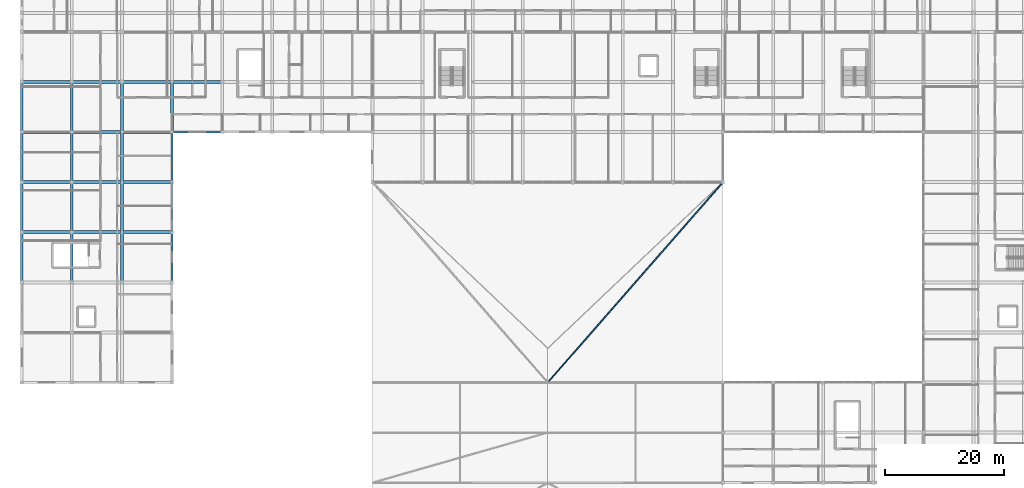
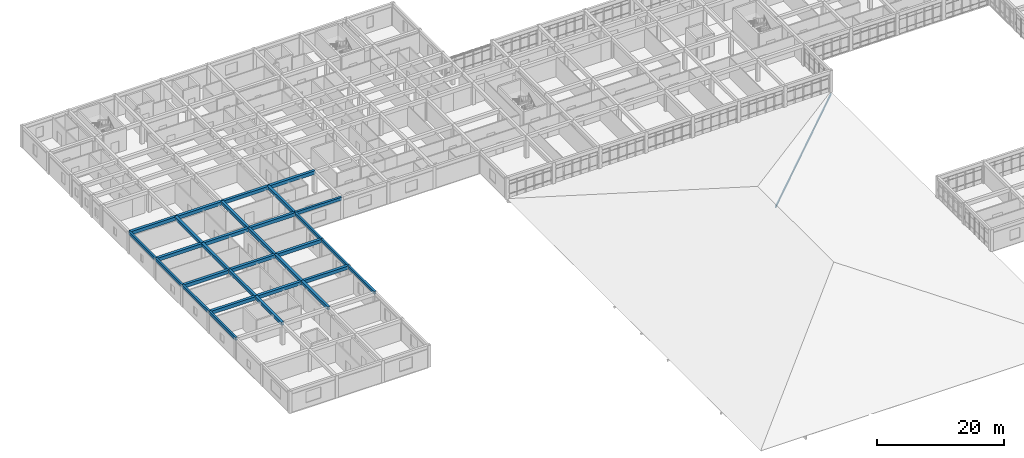
# One storey, part 12 of 77: 30 beams, 1 member.
"""IFC4 building model written with IfcOpenShell, lengths in metres."""

from ifc_helpers import new_model, si_unit, direction, frame, origin, origin_2d, place, context, subcontext, project, spatial, rectangle, extrude, material, material_profile, profile_set, type_object, element, save


model = new_model("IFC4")

# Units and contexts
model_context = context("Model", 3, precision=1e-05, world=origin(), true_north=direction((0.0, 1.0)))
body_context = subcontext(model_context, "Body", "Model", "MODEL_VIEW")
ifc_project = project(units=[si_unit("LENGTHUNIT", "METRE"), si_unit("AREAUNIT", "SQUARE_METRE"), si_unit("VOLUMEUNIT", "CUBIC_METRE"), si_unit("PLANEANGLEUNIT", "RADIAN"), si_unit("MASSUNIT", "GRAM", prefix="KILO")], contexts=[model_context])

# Site, building, storey
site_placement = place(None, origin())
site = spatial("IfcSite", under=ifc_project, at=site_placement, CompositionType="ELEMENT")
building_placement = place(site_placement, origin())
building = spatial("IfcBuilding", under=site, at=building_placement, Name="Varncliffe General Hospital", CompositionType="ELEMENT")
storey_placement = place(building_placement, frame((0.0, 0.0, 16.199951171875)))
storey = spatial("IfcBuildingStorey", under=building, at=storey_placement, Name="L03", CompositionType="ELEMENT", Elevation=16.199951171875)

# Beams
ifc_material_1 = material(Name="Concrete C35/45 (CSA A23.1 35 MPa)", Category="concrete")
ifc_material_profile_1 = material_profile(ifc_material_1, rectangle(XDim=0.5, YDim=0.64990234375, at=origin_2d()), Name="RC 500x650")
ifc_profile_set_1 = profile_set([ifc_material_profile_1], Name="Concrete C35/45 (CSA A23.1 35 MPa)")
beam_type_1 = type_object("IfcBeamType", Name="Beam B29 (Int RC 500x650)", PredefinedType="BEAM", material=ifc_profile_set_1)
beam_1_placement = place(storey_placement, frame((0.0, 66.0, 3.875), z_axis=(1.0, 0.0, 0.0), x_axis=(0.0, 1.0, 0.0)))
element("IfcBeam", 1, at=beam_1_placement, inside=storey, type_object=beam_type_1, Name="L03 Primary Beam B29-46", PredefinedType="BEAM", context=body_context, shape_type="SweptSolid", body=[
    extrude(rectangle(XDim=0.5, YDim=0.64990234375, at=origin_2d()), origin(), (0.0, 0.0, 1.0), 8.39990234375),
])
beam_2_placement = place(storey_placement, frame((8.39990234375, 66.0, 3.875), z_axis=(1.0, 0.0, 0.0), x_axis=(0.0, 1.0, 0.0)))
element("IfcBeam", 2, at=beam_2_placement, inside=storey, type_object=beam_type_1, Name="L03 Primary Beam B29-47", PredefinedType="BEAM", context=body_context, shape_type="SweptSolid", body=[
    extrude(rectangle(XDim=0.5, YDim=0.64990234375, at=origin_2d()), origin(), (0.0, 0.0, 1.0), 8.400146484375),
])
for number, where, z_axis, x_axis, name in (
    (3, (16.800048828125, 66.0, 3.875), (1.0, 0.0, 0.0), (0.0, 1.0, 0.0), "L03 Primary Beam B29-48"),
    (4, (0.0, 74.39990234375, 3.875), (1.0, 0.0, 0.0), (0.0, 1.0, 0.0), "L03 Primary Beam B29-52"),
):
    element("IfcBeam", number, at=place(storey_placement, frame(where, z_axis=z_axis, x_axis=x_axis)), inside=storey, type_object=beam_type_1, Name=name, PredefinedType="BEAM", context=body_context, shape_type="SweptSolid", body=[
        extrude(rectangle(XDim=0.5, YDim=0.64990234375, at=origin_2d()), origin(), (0.0, 0.0, 1.0), 8.39990234375),
    ])
beam_3_placement = place(storey_placement, frame((8.39990234375, 74.39990234375, 3.875), z_axis=(1.0, 0.0, 0.0), x_axis=(0.0, 1.0, 0.0)))
element("IfcBeam", 5, at=beam_3_placement, inside=storey, type_object=beam_type_1, Name="L03 Primary Beam B29-53", PredefinedType="BEAM", context=body_context, shape_type="SweptSolid", body=[
    extrude(rectangle(XDim=0.5, YDim=0.64990234375, at=origin_2d()), origin(), (0.0, 0.0, 1.0), 8.400146484375),
])
for number, where, z_axis, x_axis, name in (
    (6, (16.800048828125, 74.39990234375, 3.875), (1.0, 0.0, 0.0), (0.0, 1.0, 0.0), "L03 Primary Beam B29-54"),
    (7, (0.0, 82.800048828125, 3.875), (1.0, 0.0, 0.0), (0.0, 1.0, 0.0), "L03 Primary Beam B29-65"),
):
    element("IfcBeam", number, at=place(storey_placement, frame(where, z_axis=z_axis, x_axis=x_axis)), inside=storey, type_object=beam_type_1, Name=name, PredefinedType="BEAM", context=body_context, shape_type="SweptSolid", body=[
        extrude(rectangle(XDim=0.5, YDim=0.64990234375, at=origin_2d()), origin(), (0.0, 0.0, 1.0), 8.39990234375),
    ])
beam_4_placement = place(storey_placement, frame((8.39990234375, 82.800048828125, 3.875), z_axis=(1.0, 0.0, 0.0), x_axis=(0.0, 1.0, 0.0)))
element("IfcBeam", 8, at=beam_4_placement, inside=storey, type_object=beam_type_1, Name="L03 Primary Beam B29-66", PredefinedType="BEAM", context=body_context, shape_type="SweptSolid", body=[
    extrude(rectangle(XDim=0.5, YDim=0.64990234375, at=origin_2d()), origin(), (0.0, 0.0, 1.0), 8.400146484375),
])
for number, where, z_axis, x_axis, name in (
    (9, (16.800048828125, 82.800048828125, 3.875), (1.0, 0.0, 0.0), (0.0, 1.0, 0.0), "L03 Primary Beam B29-67"),
    (10, (0.0, 91.199951171875, 3.875), (1.0, 0.0, 0.0), (0.0, 1.0, 0.0), "L03 Primary Beam B29-86"),
):
    element("IfcBeam", number, at=place(storey_placement, frame(where, z_axis=z_axis, x_axis=x_axis)), inside=storey, type_object=beam_type_1, Name=name, PredefinedType="BEAM", context=body_context, shape_type="SweptSolid", body=[
        extrude(rectangle(XDim=0.5, YDim=0.64990234375, at=origin_2d()), origin(), (0.0, 0.0, 1.0), 8.39990234375),
    ])
beam_5_placement = place(storey_placement, frame((8.39990234375, 91.199951171875, 3.875), z_axis=(1.0, 0.0, 0.0), x_axis=(0.0, 1.0, 0.0)))
element("IfcBeam", 11, at=beam_5_placement, inside=storey, type_object=beam_type_1, Name="L03 Primary Beam B29-87", PredefinedType="BEAM", context=body_context, shape_type="SweptSolid", body=[
    extrude(rectangle(XDim=0.5, YDim=0.64990234375, at=origin_2d()), origin(), (0.0, 0.0, 1.0), 8.400146484375),
])
beam_6_placement = place(storey_placement, frame((16.800048828125, 91.199951171875, 3.875), z_axis=(1.0, 0.0, 0.0), x_axis=(0.0, 1.0, 0.0)))
element("IfcBeam", 12, at=beam_6_placement, inside=storey, type_object=beam_type_1, Name="L03 Primary Beam B29-88", PredefinedType="BEAM", context=body_context, shape_type="SweptSolid", body=[
    extrude(rectangle(XDim=0.5, YDim=0.64990234375, at=origin_2d()), origin(), (0.0, 0.0, 1.0), 8.39990234375),
])
beam_7_placement = place(storey_placement, frame((25.199951171875, 91.199951171875, 3.875), z_axis=(1.0, 0.0, 0.0), x_axis=(0.0, 1.0, 0.0)))
element("IfcBeam", 13, at=beam_7_placement, inside=storey, type_object=beam_type_1, Name="L03 Primary Beam B29-89", PredefinedType="BEAM", context=body_context, shape_type="SweptSolid", body=[
    extrude(rectangle(XDim=0.5, YDim=0.64990234375, at=origin_2d()), origin(), (0.0, 0.0, 1.0), 8.400146484375),
])
ifc_material_profile_2 = material_profile(ifc_material_1, rectangle(XDim=0.449951171875, YDim=0.60009765625, at=origin_2d()), Name="RC 450x600")
ifc_profile_set_2 = profile_set([ifc_material_profile_2], Name="Concrete C35/45 (CSA A23.1 35 MPa)")
beam_type_2 = type_object("IfcBeamType", Name="Beam B47 (Int RC 450x600)", PredefinedType="BEAM", material=ifc_profile_set_2)
for number, where, z_axis, x_axis, name in (
    (14, (8.39990234375, 57.60009765625, 3.900146484375), (0.0, 1.0, 0.0), (-1.0, 0.0, 0.0), "L03 Primary Beam B47-227"),
    (15, (8.39990234375, 66.0, 3.900146484375), (0.0, 1.0, 0.0), (-1.0, 0.0, 0.0), "L03 Primary Beam B47-228"),
):
    element("IfcBeam", number, at=place(storey_placement, frame(where, z_axis=z_axis, x_axis=x_axis)), inside=storey, type_object=beam_type_2, Name=name, PredefinedType="BEAM", context=body_context, shape_type="SweptSolid", body=[
        extrude(rectangle(XDim=0.449951171875, YDim=0.60009765625, at=origin_2d()), origin(), (0.0, 0.0, 1.0), 8.39990234375),
    ])
beam_8_placement = place(storey_placement, frame((8.39990234375, 74.39990234375, 3.900146484375), z_axis=(0.0, 1.0, 0.0), x_axis=(-1.0, 0.0, 0.0)))
element("IfcBeam", 16, at=beam_8_placement, inside=storey, type_object=beam_type_2, Name="L03 Primary Beam B47-229", PredefinedType="BEAM", context=body_context, shape_type="SweptSolid", body=[
    extrude(rectangle(XDim=0.449951171875, YDim=0.60009765625, at=origin_2d()), origin(), (0.0, 0.0, 1.0), 8.400146484375),
])
for number, where, z_axis, x_axis, name in (
    (17, (8.39990234375, 82.800048828125, 3.900146484375), (0.0, 1.0, 0.0), (-1.0, 0.0, 0.0), "L03 Primary Beam B47-230"),
    (18, (16.800048828125, 57.60009765625, 3.900146484375), (0.0, 1.0, 0.0), (-1.0, 0.0, 0.0), "L03 Primary Beam B47-239"),
    (19, (16.800048828125, 66.0, 3.900146484375), (0.0, 1.0, 0.0), (-1.0, 0.0, 0.0), "L03 Primary Beam B47-240"),
):
    element("IfcBeam", number, at=place(storey_placement, frame(where, z_axis=z_axis, x_axis=x_axis)), inside=storey, type_object=beam_type_2, Name=name, PredefinedType="BEAM", context=body_context, shape_type="SweptSolid", body=[
        extrude(rectangle(XDim=0.449951171875, YDim=0.60009765625, at=origin_2d()), origin(), (0.0, 0.0, 1.0), 8.39990234375),
    ])
beam_9_placement = place(storey_placement, frame((16.800048828125, 74.39990234375, 3.900146484375), z_axis=(0.0, 1.0, 0.0), x_axis=(-1.0, 0.0, 0.0)))
element("IfcBeam", 20, at=beam_9_placement, inside=storey, type_object=beam_type_2, Name="L03 Primary Beam B47-241", PredefinedType="BEAM", context=body_context, shape_type="SweptSolid", body=[
    extrude(rectangle(XDim=0.449951171875, YDim=0.60009765625, at=origin_2d()), origin(), (0.0, 0.0, 1.0), 8.400146484375),
])
for number, where, z_axis, x_axis, name in (
    (21, (16.800048828125, 82.800048828125, 3.900146484375), (0.0, 1.0, 0.0), (-1.0, 0.0, 0.0), "L03 Primary Beam B47-242"),
    (22, (25.199951171875, 82.800048828125, 3.900146484375), (0.0, 1.0, 0.0), (-1.0, 0.0, 0.0), "L03 Primary Beam B47-254"),
):
    element("IfcBeam", number, at=place(storey_placement, frame(where, z_axis=z_axis, x_axis=x_axis)), inside=storey, type_object=beam_type_2, Name=name, PredefinedType="BEAM", context=body_context, shape_type="SweptSolid", body=[
        extrude(rectangle(XDim=0.449951171875, YDim=0.60009765625, at=origin_2d()), origin(), (0.0, 0.0, 1.0), 8.39990234375),
    ])

# Member
ifc_material_2 = material(Name="Glulam GL28h (CSA O86 24f-EX, 30 MPa)", Category="wood")
ifc_material_profile_3 = material_profile(ifc_material_2, rectangle(XDim=0.175048828125, YDim=0.3798828125, at=origin_2d()), Name="GL 175x380")
ifc_profile_set_3 = profile_set([ifc_material_profile_3], Name="Glulam GL28h (CSA O86 24f-EX, 30 MPa)")
member_type = type_object("IfcMemberType", Name="Member MB55 (RAFTER Int GL 175x380)", PredefinedType="RAFTER", material=ifc_profile_set_3)
member_placement = place(storey_placement, frame((117.60009765625, 74.39990234375, -0.49951171875), z_axis=(-0.645391725773, -0.737585178353, 0.198589085745), x_axis=(0.752574320837, -0.658507320852, 0.0)))
element("IfcMember", 23, at=member_placement, inside=storey, type_object=member_type, Name="L03 RF-V1-MAIN Hip Rafter NE", PredefinedType="RAFTER", context=body_context, shape_type="SweptSolid", body=[
    extrude(rectangle(XDim=0.175048828125, YDim=0.3798828125, at=origin_2d()), origin(), (0.0, 0.0, 1.0), 45.5029296875),
])

# Beams
ifc_material_profile_4 = material_profile(ifc_material_1, rectangle(XDim=0.35009765625, YDim=0.550048828125, at=origin_2d()), Name="RC 350x550")
ifc_profile_set_4 = profile_set([ifc_material_profile_4], Name="Concrete C35/45 (CSA A23.1 35 MPa)")
beam_type_3 = type_object("IfcBeamType", Name="Spandrel SP20 (Ext RC 350x550)", PredefinedType="SPANDREL", material=ifc_profile_set_4)
for number, where, z_axis, x_axis, name in (
    (24, (0.0, 57.60009765625, 3.925048828125), (0.0, 1.0, 0.0), (-1.0, 0.0, 0.0), "L03 Spandrel Beam SP20-215"),
    (25, (0.0, 66.0, 3.925048828125), (0.0, 1.0, 0.0), (-1.0, 0.0, 0.0), "L03 Spandrel Beam SP20-216"),
):
    element("IfcBeam", number, at=place(storey_placement, frame(where, z_axis=z_axis, x_axis=x_axis)), inside=storey, type_object=beam_type_3, Name=name, PredefinedType="SPANDREL", context=body_context, shape_type="SweptSolid", body=[
        extrude(rectangle(XDim=0.35009765625, YDim=0.550048828125, at=origin_2d()), origin(), (0.0, 0.0, 1.0), 8.39990234375),
    ])
beam_10_placement = place(storey_placement, frame((0.0, 74.39990234375, 3.925048828125), z_axis=(0.0, 1.0, 0.0), x_axis=(-1.0, 0.0, 0.0)))
element("IfcBeam", 26, at=beam_10_placement, inside=storey, type_object=beam_type_3, Name="L03 Spandrel Beam SP20-217", PredefinedType="SPANDREL", context=body_context, shape_type="SweptSolid", body=[
    extrude(rectangle(XDim=0.35009765625, YDim=0.550048828125, at=origin_2d()), origin(), (0.0, 0.0, 1.0), 8.400146484375),
])
for number, where, z_axis, x_axis, name in (
    (27, (0.0, 82.800048828125, 3.925048828125), (0.0, 1.0, 0.0), (-1.0, 0.0, 0.0), "L03 Spandrel Beam SP20-218"),
    (28, (25.199951171875, 57.60009765625, 3.925048828125), (0.0, 1.0, 0.0), (-1.0, 0.0, 0.0), "L03 Spandrel Beam SP20-251"),
    (29, (25.199951171875, 66.0, 3.925048828125), (0.0, 1.0, 0.0), (-1.0, 0.0, 0.0), "L03 Spandrel Beam SP20-252"),
):
    element("IfcBeam", number, at=place(storey_placement, frame(where, z_axis=z_axis, x_axis=x_axis)), inside=storey, type_object=beam_type_3, Name=name, PredefinedType="SPANDREL", context=body_context, shape_type="SweptSolid", body=[
        extrude(rectangle(XDim=0.35009765625, YDim=0.550048828125, at=origin_2d()), origin(), (0.0, 0.0, 1.0), 8.39990234375),
    ])
beam_11_placement = place(storey_placement, frame((25.199951171875, 74.39990234375, 3.925048828125), z_axis=(0.0, 1.0, 0.0), x_axis=(-1.0, 0.0, 0.0)))
element("IfcBeam", 30, at=beam_11_placement, inside=storey, type_object=beam_type_3, Name="L03 Spandrel Beam SP20-253", PredefinedType="SPANDREL", context=body_context, shape_type="SweptSolid", body=[
    extrude(rectangle(XDim=0.35009765625, YDim=0.550048828125, at=origin_2d()), origin(), (0.0, 0.0, 1.0), 8.400146484375),
])
ifc_material_profile_5 = material_profile(ifc_material_1, rectangle(XDim=0.39990234375, YDim=0.60009765625, at=origin_2d()), Name="RC 400x600")
ifc_profile_set_5 = profile_set([ifc_material_profile_5], Name="Concrete C35/45 (CSA A23.1 35 MPa)")
beam_type_4 = type_object("IfcBeamType", Name="Spandrel SP58 (Ext RC 400x600B)", PredefinedType="SPANDREL", material=ifc_profile_set_5)
beam_12_placement = place(storey_placement, frame((25.199951171875, 82.800048828125, 3.900146484375), z_axis=(1.0, 0.0, 0.0), x_axis=(0.0, 1.0, 0.0)))
element("IfcBeam", 31, at=beam_12_placement, inside=storey, type_object=beam_type_4, Name="L03 Spandrel Beam SP58-68", PredefinedType="SPANDREL", context=body_context, shape_type="SweptSolid", body=[
    extrude(rectangle(XDim=0.39990234375, YDim=0.60009765625, at=origin_2d()), origin(), (0.0, 0.0, 1.0), 8.400146484375),
])

save(model, "model.ifc")
